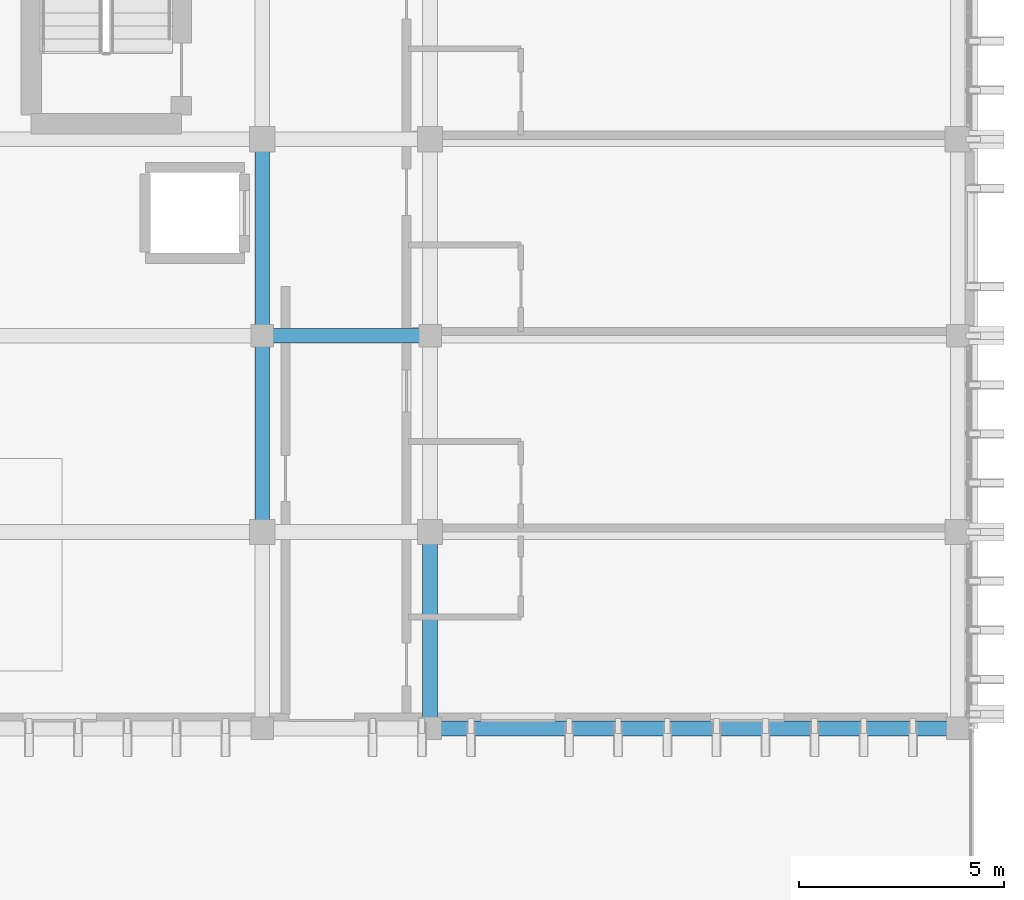
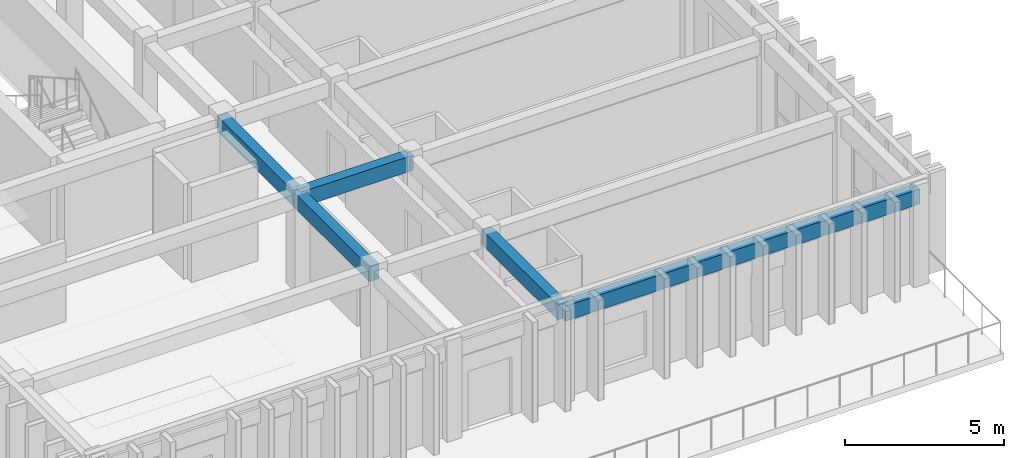
# One storey, part 5 of 50: 5 beams.
"""IFC4 building model written with IfcOpenShell, lengths in metres."""

from ifc_helpers import new_model, si_unit, direction, frame, origin, origin_2d, place, context, subcontext, project, spatial, rectangle, extrude, material, material_profile, profile_set, type_object, element, save


model = new_model("IFC4")

# Units and contexts
model_context = context("Model", 3, precision=1e-05, world=origin(), true_north=direction((0.0, 1.0)))
body_context = subcontext(model_context, "Body", "Model", "MODEL_VIEW")
ifc_project = project(units=[si_unit("LENGTHUNIT", "METRE"), si_unit("AREAUNIT", "SQUARE_METRE"), si_unit("VOLUMEUNIT", "CUBIC_METRE"), si_unit("PLANEANGLEUNIT", "RADIAN"), si_unit("MASSUNIT", "GRAM", prefix="KILO")], contexts=[model_context])

# Site, building, storey
site_placement = place(None, origin())
site = spatial("IfcSite", under=ifc_project, at=site_placement, CompositionType="ELEMENT")
building_placement = place(site_placement, origin())
building = spatial("IfcBuilding", under=site, at=building_placement, Name="Nakhvara Creek Congress Hotel", CompositionType="ELEMENT")
storey_placement = place(building_placement, frame((0.0, 0.0, 42.60009765625)))
storey = spatial("IfcBuildingStorey", under=building, at=storey_placement, Name="L10", CompositionType="ELEMENT", Elevation=42.60009765625)

# Beams
ifc_material = material(Name="Concrete C40/50", Category="concrete")
ifc_material_profile = material_profile(ifc_material, rectangle(XDim=0.360107421875, YDim=0.580078125, at=origin_2d()), Name="RC-BM 360x580", Category="LoadBearing")
ifc_profile_set = profile_set([ifc_material_profile], Name="Concrete C40/50")
beam_type = type_object("IfcBeamType", Name="BM-RC-360X580", PredefinedType="BEAM", material=ifc_profile_set)
for number, where, z_axis, x_axis, name in (
    (1, (162.35009765625, 67.199951171875, 3.369873046875), (0.0, 1.0, 0.0), (-1.0, 0.0, 0.0), "Beam B09-L10-2650"),
    (2, (162.35009765625, 72.0, 3.369873046875), (0.0, 1.0, 0.0), (-1.0, 0.0, 0.0), "Beam B09-L10-2652"),
    (3, (166.449951171875, 62.39990234375, 3.369873046875), (0.0, 1.0, 0.0), (-1.0, 0.0, 0.0), "Beam B09-L10-2669"),
):
    element("IfcBeam", number, at=place(storey_placement, frame(where, z_axis=z_axis, x_axis=x_axis)), inside=storey, type_object=beam_type, Name=name, PredefinedType="BEAM", context=body_context, shape_type="SweptSolid", body=[
        extrude(rectangle(XDim=0.360107421875, YDim=0.580078125, at=origin_2d()), origin(), (0.0, 0.0, 1.0), 4.800048828125),
    ])
beam_1_placement = place(storey_placement, frame((162.35009765625, 72.0, 3.369873046875), z_axis=(1.0, 0.0, 0.0), x_axis=(0.0, 1.0, 0.0)))
element("IfcBeam", 4, at=beam_1_placement, inside=storey, type_object=beam_type, Name="Beam B09-L10-2707", PredefinedType="BEAM", context=body_context, shape_type="SweptSolid", body=[
    extrude(rectangle(XDim=0.360107421875, YDim=0.580078125, at=origin_2d()), origin(), (0.0, 0.0, 1.0), 4.099853515625),
])
beam_2_placement = place(storey_placement, frame((166.449951171875, 62.39990234375, 3.369873046875), z_axis=(1.0, 0.0, 0.0), x_axis=(0.0, 1.0, 0.0)))
element("IfcBeam", 5, at=beam_2_placement, inside=storey, type_object=beam_type, Name="Beam B09-L10-2713", PredefinedType="BEAM", context=body_context, shape_type="SweptSolid", body=[
    extrude(rectangle(XDim=0.360107421875, YDim=0.580078125, at=origin_2d()), origin(), (0.0, 0.0, 1.0), 12.900146484375),
])

save(model, "model.ifc")
